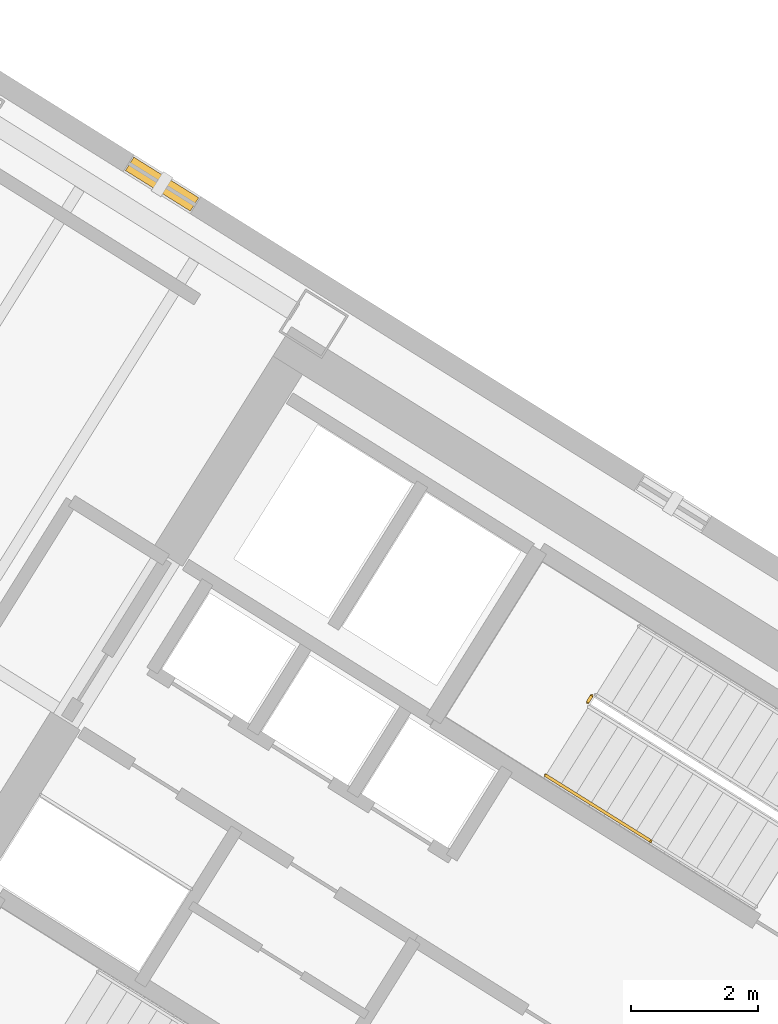
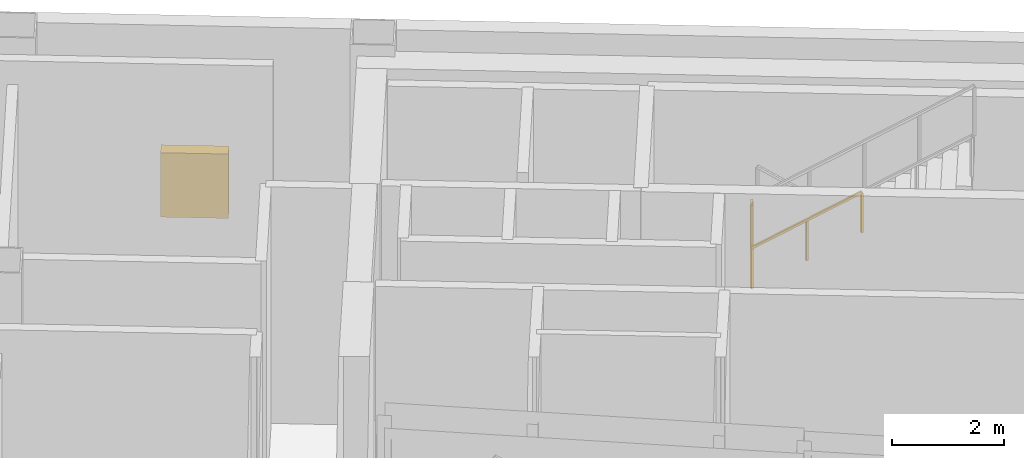
# One storey, part 27 of 30: 2 railings, 1 shading device.
"""IFC4 building model written with IfcOpenShell, lengths in metres."""

from ifc_helpers import new_model, si_unit, direction, frame, origin, origin_2d, place, context, subcontext, project, spatial, rectangle, extrude, source, transform, mapped, material, type_object, element, save


model = new_model("IFC4")

# Units and contexts
model_context = context("Model", 3, precision=1e-05, world=origin(), true_north=direction((0.0, 1.0)))
body_context = subcontext(model_context, "Body", "Model", "MODEL_VIEW")
ifc_project = project(units=[si_unit("LENGTHUNIT", "METRE"), si_unit("AREAUNIT", "SQUARE_METRE"), si_unit("VOLUMEUNIT", "CUBIC_METRE"), si_unit("PLANEANGLEUNIT", "RADIAN"), si_unit("MASSUNIT", "GRAM", prefix="KILO")], contexts=[model_context])

# Site, building, storey
site_placement = place(None, origin())
site = spatial("IfcSite", under=ifc_project, at=site_placement, CompositionType="ELEMENT")
building_placement = place(site_placement, origin())
building = spatial("IfcBuilding", under=site, at=building_placement, Name="Tlacorven Tower", CompositionType="ELEMENT")
storey_placement = place(building_placement, frame((0.0, 0.0, 169.5)))
storey = spatial("IfcBuildingStorey", under=building, at=storey_placement, Name="L43", CompositionType="ELEMENT", Elevation=169.5)

# Shading device
ifc_material_1 = material(Name="Anodised bronze aluminium acoustic louvre", Category="aluminium")
shading_device_type = type_object("IfcShadingDeviceType", Name="SH-LVR-WND", PredefinedType="JALOUSIE", material=ifc_material_1)
shared_shape_1 = source(origin(), body_context, "Body", "SweptSolid", [
    extrude(rectangle(XDim=1.2099609375, YDim=0.25, at=origin_2d()), origin(), (0.0, 0.0, 1.0), 1.39990234375),
])
shading_device_placement = place(storey_placement, frame((27.5322265625, 33.4560546875, 0.949951171875), z_axis=(0.0, 0.0, 1.0), x_axis=(0.84804812172, -0.529919223323, 0.0)))
element("IfcShadingDevice", 1, at=shading_device_placement, inside=storey, type_object=shading_device_type, Name="L43 Storm-Resistant Acoustic Louvre Bank 3.3", PredefinedType="JALOUSIE", context=body_context, shape_type="MappedRepresentation", body=[
    mapped(shared_shape_1, transform((0.0, 0.0, 0.0), scale=1.0)),
])

# Railings
ifc_material_2 = material(Name="Aluminium and painted steel balustrade", Category="steel")
railing_type_1 = type_object("IfcRailingType", Name="RL-HND-0900", PredefinedType="HANDRAIL", material=ifc_material_2)
shared_shape_2 = source(origin(), body_context, "Body", "SweptSolid", [
    extrude(rectangle(XDim=0.048095703125, YDim=0.048095703125, at=origin_2d()), frame((0.0, 0.0, 0.8759765625), z_axis=(0.713353726602, -0.445741297439, 0.540778287749), x_axis=(0.52990936055, 0.848054284584, 0.0)), (0.0, 0.0, 1.0), 2.330078125),
    extrude(rectangle(XDim=0.0419921875, YDim=0.0419921875, at=origin_2d()), origin(), (0.0, 0.0, 1.0), 0.851806640625),
    extrude(rectangle(XDim=0.0419921875, YDim=0.0419921875, at=origin_2d()), frame((0.8310546875, -0.519287109375, 0.6298828125)), (0.0, 0.0, 1.0), 0.851806640625),
    extrude(rectangle(XDim=0.0419921875, YDim=0.0419921875, at=origin_2d()), frame((1.662109375, -1.03857421875, 1.260009765625)), (0.0, 0.0, 1.0), 0.851806640625),
])
railing_1_placement = place(storey_placement, frame((33.593017578125, 24.11474609375, 2.8798828125)))
element("IfcRailing", 2, at=railing_1_placement, inside=storey, type_object=railing_type_1, Name="L43 ST-W2 stair handrail 3", PredefinedType="HANDRAIL", context=body_context, shape_type="MappedRepresentation", body=[
    mapped(shared_shape_2, transform((0.0, 0.0, 0.0), scale=1.0)),
])
railing_type_2 = type_object("IfcRailingType", Name="RL-GRD-1100", PredefinedType="GUARDRAIL", material=ifc_material_2)
shared_shape_3 = source(origin(), body_context, "Body", "SweptSolid", [
    extrude(rectangle(XDim=0.048095703125, YDim=0.048095703125, at=origin_2d()), frame((0.0, 0.0, 1.076171875), z_axis=(-0.530546985787, -0.847655529016, 0.0), x_axis=(0.847655529016, -0.530546985787, 0.0)), (0.0, 0.0, 1.0), 0.1201171875),
    extrude(rectangle(XDim=0.0419921875, YDim=0.0419921875, at=origin_2d()), origin(), (0.0, 0.0, 1.0), 1.052001953125),
    extrude(rectangle(XDim=0.0419921875, YDim=0.0419921875, at=origin_2d()), frame((-0.063720703125, -0.101806640625, 0.0)), (0.0, 0.0, 1.0), 1.052001953125),
])
railing_2_placement = place(storey_placement, frame((34.319091796875, 25.370849609375, 2.699951171875)))
element("IfcRailing", 3, at=railing_2_placement, inside=storey, type_object=railing_type_2, Name="L43 ST-W2 stair guard 2", PredefinedType="GUARDRAIL", context=body_context, shape_type="MappedRepresentation", body=[
    mapped(shared_shape_3, transform((0.0, 0.0, 0.0), scale=1.0)),
])

save(model, "model.ifc")
